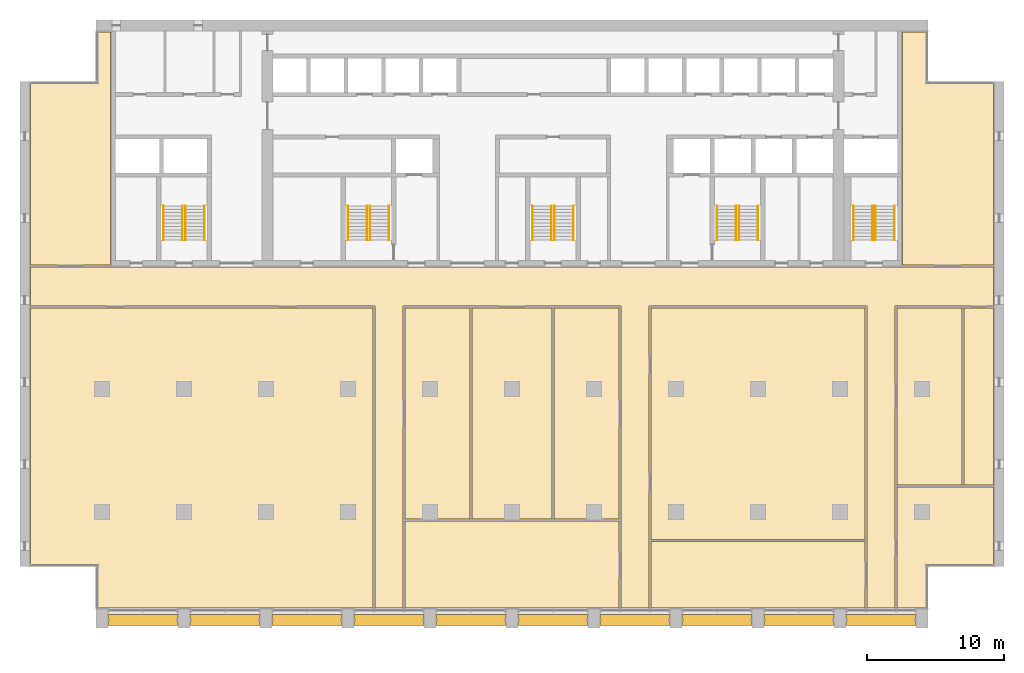
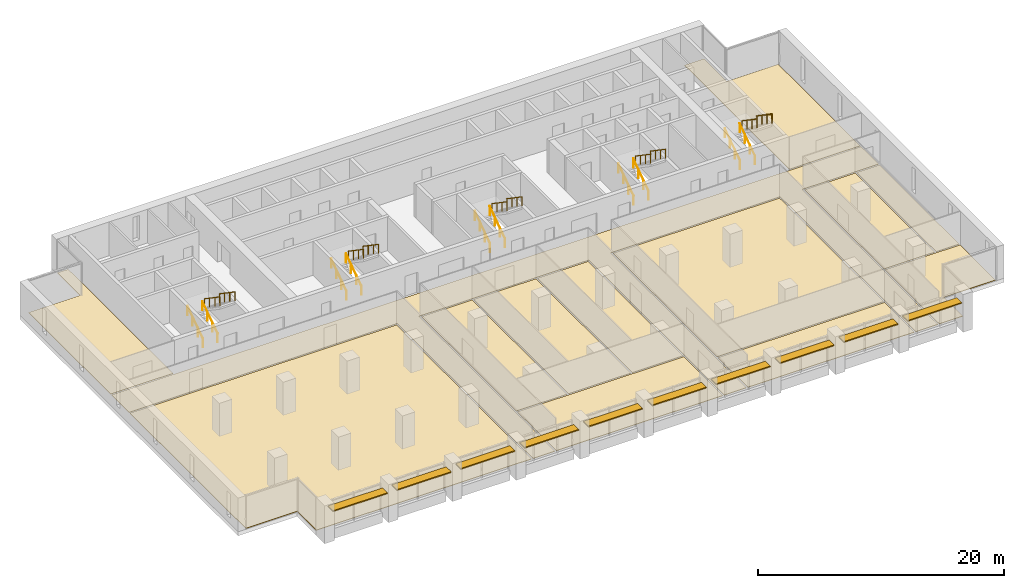
# One storey, part 15 of 15: 20 railings, 13 coverings, 10 shading devices, 5 elements without a shape of their own.
"""IFC4 building model written with IfcOpenShell, lengths in metres."""

from ifc_helpers import new_model, si_unit, direction, frame, origin, origin_2d, place, context, subcontext, project, spatial, polyline, rectangle, circle, outline, extrude, material, layer, layer_set, material_profile, profile_set, type_object, element, aggregate, save


model = new_model("IFC4")

# Units and contexts
model_context = context("Model", 3, precision=1e-05, world=origin(), true_north=direction((0.0, 1.0)))
body_context = subcontext(model_context, "Body", "Model", "MODEL_VIEW")
ifc_project = project(units=[si_unit("LENGTHUNIT", "METRE"), si_unit("AREAUNIT", "SQUARE_METRE"), si_unit("VOLUMEUNIT", "CUBIC_METRE"), si_unit("PLANEANGLEUNIT", "RADIAN"), si_unit("MASSUNIT", "GRAM", prefix="KILO")], contexts=[model_context])

# Site, building, storey
site_placement = place(None, origin())
site = spatial("IfcSite", under=ifc_project, at=site_placement, CompositionType="ELEMENT")
building_placement = place(site_placement, origin())
building = spatial("IfcBuilding", under=site, at=building_placement, Name="Calvaro Tower", CompositionType="ELEMENT")
storey_placement = place(building_placement, frame((0.0, 0.0, 151.25)))
storey = spatial("IfcBuildingStorey", under=building, at=storey_placement, Name="L38", CompositionType="ELEMENT", Elevation=151.25)

# Shading devices
ifc_material_1 = material(Name="Anodised aluminium", Category="aluminium")
ifc_material_profile = material_profile(ifc_material_1, rectangle(XDim=0.800048828125, YDim=0.10009765625, at=origin_2d()), Name="Brise-soleil blade 800 x 100")
ifc_profile_set = profile_set([ifc_material_profile], Name="Anodised aluminium")
shading_device_type = type_object("IfcShadingDeviceType", Name="Brise-soleil blade 800 x 100", PredefinedType="JALOUSIE", material=ifc_profile_set)
for number, where, z_axis, x_axis, name in (
    (1, (6.449951171875, 2.10009765625, 2.39990234375), (1.0, 0.0, 0.0), (0.0, 1.0, 0.0), "Brise-soleil blade 1"),
    (2, (12.449951171875, 2.10009765625, 2.39990234375), (1.0, 0.0, 0.0), (0.0, 1.0, 0.0), "Brise-soleil blade 2"),
    (3, (18.449951171875, 2.10009765625, 2.39990234375), (1.0, 0.0, 0.0), (0.0, 1.0, 0.0), "Brise-soleil blade 3"),
    (4, (24.449951171875, 2.10009765625, 2.39990234375), (1.0, 0.0, 0.0), (0.0, 1.0, 0.0), "Brise-soleil blade 4"),
    (5, (30.449951171875, 2.10009765625, 2.39990234375), (1.0, 0.0, 0.0), (0.0, 1.0, 0.0), "Brise-soleil blade 5"),
    (6, (36.449951171875, 2.10009765625, 2.39990234375), (1.0, 0.0, 0.0), (0.0, 1.0, 0.0), "Brise-soleil blade 6"),
    (7, (42.449951171875, 2.10009765625, 2.39990234375), (1.0, 0.0, 0.0), (0.0, 1.0, 0.0), "Brise-soleil blade 7"),
    (8, (48.449951171875, 2.10009765625, 2.39990234375), (1.0, 0.0, 0.0), (0.0, 1.0, 0.0), "Brise-soleil blade 8"),
    (9, (54.449951171875, 2.10009765625, 2.39990234375), (1.0, 0.0, 0.0), (0.0, 1.0, 0.0), "Brise-soleil blade 9"),
    (10, (60.449951171875, 2.10009765625, 2.39990234375), (1.0, 0.0, 0.0), (0.0, 1.0, 0.0), "Brise-soleil blade 10"),
):
    element("IfcShadingDevice", number, at=place(storey_placement, frame(where, z_axis=z_axis, x_axis=x_axis)), inside=storey, type_object=shading_device_type, Name=name, PredefinedType="JALOUSIE", context=body_context, shape_type="SweptSolid", body=[
        extrude(rectangle(XDim=0.800048828125, YDim=0.10009765625, at=origin_2d()), origin(), (0.0, 0.0, 1.0), 5.10009765625),
    ])

# Coverings
ifc_material_2 = material(Name="Cement screed with carpet tile finish")
ifc_layer = layer(ifc_material_2, 0.050048828125)
ifc_layer_set = layer_set([ifc_layer], Name="Cement screed with carpet tile finish")
covering_type = type_object("IfcCoveringType", Name="Floor finish 50", PredefinedType="FLOORING", material=ifc_layer_set)
covering_1_placement = place(storey_placement, origin())
element("IfcCovering", 11, at=covering_1_placement, inside=storey, type_object=covering_type, Name="Floor finish 23.01", PredefinedType="FLOORING", context=body_context, shape_type="SweptSolid", body=[
    extrude(outline(polyline([(0.77001953125, 25.070068359375), (0.77001953125, 27.929931640625), (71.22998046875, 27.929931640625), (71.22998046875, 25.070068359375), (64.030029296875, 25.070068359375), (64.030029296875, 2.969970703125), (61.969970703125, 2.969970703125), (61.969970703125, 25.070068359375), (46.030029296875, 25.070068359375), (46.030029296875, 2.969970703125), (43.969970703125, 2.969970703125), (43.969970703125, 25.070068359375), (28.030029296875, 25.070068359375), (28.030029296875, 2.969970703125), (25.969970703125, 2.969970703125), (25.969970703125, 25.070068359375), (0.77001953125, 25.070068359375)])), origin(), (0.0, 0.0, 1.0), 0.050048828125),
])
covering_2_placement = place(storey_placement, origin())
element("IfcCovering", 12, at=covering_2_placement, inside=storey, type_object=covering_type, Name="Floor finish 23.05", PredefinedType="FLOORING", context=body_context, shape_type="SweptSolid", body=[
    extrude(outline(polyline([(25.830078125, 24.929931640625), (25.830078125, 2.969970703125), (5.6201171875, 2.969970703125), (5.6201171875, 6.070068359375), (0.77001953125, 6.070068359375), (0.77001953125, 24.929931640625), (25.830078125, 24.929931640625)])), origin(), (0.0, 0.0, 1.0), 0.050048828125),
])
covering_3_placement = place(storey_placement, origin())
element("IfcCovering", 13, at=covering_3_placement, inside=storey, type_object=covering_type, Name="Floor finish 23.03", PredefinedType="FLOORING", context=body_context, shape_type="SweptSolid", body=[
    extrude(outline(polyline([(28.169921875, 9.330078125), (43.830078125, 9.330078125), (43.830078125, 2.969970703125), (28.169921875, 2.969970703125), (28.169921875, 9.330078125)])), origin(), (0.0, 0.0, 1.0), 0.050048828125),
])
covering_4_placement = place(storey_placement, origin())
element("IfcCovering", 14, at=covering_4_placement, inside=storey, type_object=covering_type, Name="Floor finish 23.07", PredefinedType="FLOORING", context=body_context, shape_type="SweptSolid", body=[
    extrude(outline(polyline([(28.169921875, 9.469970703125), (28.169921875, 24.929931640625), (32.929931640625, 24.929931640625), (32.929931640625, 9.469970703125), (28.169921875, 9.469970703125)])), origin(), (0.0, 0.0, 1.0), 0.050048828125),
])
covering_5_placement = place(storey_placement, origin())
element("IfcCovering", 15, at=covering_5_placement, inside=storey, type_object=covering_type, Name="Floor finish 23.08", PredefinedType="FLOORING", context=body_context, shape_type="SweptSolid", body=[
    extrude(outline(polyline([(33.070068359375, 9.469970703125), (33.070068359375, 24.929931640625), (38.929931640625, 24.929931640625), (38.929931640625, 9.469970703125), (33.070068359375, 9.469970703125)])), origin(), (0.0, 0.0, 1.0), 0.050048828125),
])
covering_6_placement = place(storey_placement, origin())
element("IfcCovering", 16, at=covering_6_placement, inside=storey, type_object=covering_type, Name="Floor finish 23.09", PredefinedType="FLOORING", context=body_context, shape_type="SweptSolid", body=[
    extrude(outline(polyline([(39.070068359375, 9.469970703125), (39.070068359375, 24.929931640625), (43.830078125, 24.929931640625), (43.830078125, 9.469970703125), (39.070068359375, 9.469970703125)])), origin(), (0.0, 0.0, 1.0), 0.050048828125),
])
covering_7_placement = place(storey_placement, origin())
element("IfcCovering", 17, at=covering_7_placement, inside=storey, type_object=covering_type, Name="Floor finish 23.02", PredefinedType="FLOORING", context=body_context, shape_type="SweptSolid", body=[
    extrude(outline(polyline([(46.169921875, 7.830078125), (61.830078125, 7.830078125), (61.830078125, 2.969970703125), (46.169921875, 2.969970703125), (46.169921875, 7.830078125)])), origin(), (0.0, 0.0, 1.0), 0.050048828125),
])
covering_8_placement = place(storey_placement, origin())
element("IfcCovering", 18, at=covering_8_placement, inside=storey, type_object=covering_type, Name="Floor finish 23.06", PredefinedType="FLOORING", context=body_context, shape_type="SweptSolid", body=[
    extrude(outline(polyline([(46.169921875, 7.969970703125), (46.169921875, 24.929931640625), (61.830078125, 24.929931640625), (61.830078125, 7.969970703125), (46.169921875, 7.969970703125)])), origin(), (0.0, 0.0, 1.0), 0.050048828125),
])
covering_9_placement = place(storey_placement, origin())
element("IfcCovering", 19, at=covering_9_placement, inside=storey, type_object=covering_type, Name="Floor finish 23.04", PredefinedType="FLOORING", context=body_context, shape_type="SweptSolid", body=[
    extrude(outline(polyline([(71.22998046875, 6.070068359375), (66.3798828125, 6.070068359375), (66.3798828125, 2.969970703125), (64.169921875, 2.969970703125), (64.169921875, 11.830078125), (71.22998046875, 11.830078125), (71.22998046875, 6.070068359375)])), origin(), (0.0, 0.0, 1.0), 0.050048828125),
])
covering_10_placement = place(storey_placement, origin())
element("IfcCovering", 20, at=covering_10_placement, inside=storey, type_object=covering_type, Name="Floor finish 23.10", PredefinedType="FLOORING", context=body_context, shape_type="SweptSolid", body=[
    extrude(outline(polyline([(64.169921875, 11.969970703125), (64.169921875, 24.929931640625), (68.929931640625, 24.929931640625), (68.929931640625, 11.969970703125), (64.169921875, 11.969970703125)])), origin(), (0.0, 0.0, 1.0), 0.050048828125),
])
covering_11_placement = place(storey_placement, origin())
element("IfcCovering", 21, at=covering_11_placement, inside=storey, type_object=covering_type, Name="Floor finish 23.11", PredefinedType="FLOORING", context=body_context, shape_type="SweptSolid", body=[
    extrude(outline(polyline([(71.22998046875, 11.969970703125), (69.070068359375, 11.969970703125), (69.070068359375, 24.929931640625), (71.22998046875, 24.929931640625), (71.22998046875, 11.969970703125)])), origin(), (0.0, 0.0, 1.0), 0.050048828125),
])
covering_12_placement = place(storey_placement, origin())
element("IfcCovering", 22, at=covering_12_placement, inside=storey, type_object=covering_type, Name="Floor finish 23.12", PredefinedType="FLOORING", context=body_context, shape_type="SweptSolid", body=[
    extrude(outline(polyline([(6.6298828125, 28.070068359375), (0.77001953125, 28.070068359375), (0.77001953125, 41.429931640625), (5.6201171875, 41.429931640625), (5.6201171875, 45.1298828125), (6.6298828125, 45.1298828125), (6.6298828125, 28.070068359375)])), origin(), (0.0, 0.0, 1.0), 0.050048828125),
])
covering_13_placement = place(storey_placement, origin())
element("IfcCovering", 23, at=covering_13_placement, inside=storey, type_object=covering_type, Name="Floor finish 23.13", PredefinedType="FLOORING", context=body_context, shape_type="SweptSolid", body=[
    extrude(outline(polyline([(71.22998046875, 28.070068359375), (64.570068359375, 28.070068359375), (64.570068359375, 45.1298828125), (66.3798828125, 45.1298828125), (66.3798828125, 41.429931640625), (71.22998046875, 41.429931640625), (71.22998046875, 28.070068359375)])), origin(), (0.0, 0.0, 1.0), 0.050048828125),
])

# Stair, railings
ifc_material_3 = material(Name="Concrete C40/50", Category="concrete")
stair_type = type_object("IfcStairType", Name="Exit stair 1400 2 flights", PredefinedType="HALF_TURN_STAIR", material=ifc_material_3)
stair_1_placement = place(storey_placement, origin())
stair_1 = element("IfcStair", 24, at=stair_1_placement, inside=storey, type_object=stair_type, Name="Exit stair S1", PredefinedType="HALF_TURN_STAIR")
ifc_material_4 = material(Name="Stainless steel", Category="steel")
railing_type = type_object("IfcRailingType", Name="Stair handrail", PredefinedType="HANDRAIL", material=ifc_material_4)
railing_1_placement = place(storey_placement, frame((11.89990234375, 29.89990234375, 0.17041015625)))
railing_1 = element("IfcRailing", 25, at=railing_1_placement, type_object=railing_type, Name="Exit stair 1 handrail", PredefinedType="HANDRAIL", context=body_context, shape_type="SweptSolid", body=[
    extrude(circle(Radius=0.02392578125, at=origin_2d()), frame((0.0, 0.0, 0.8759765625), z_axis=(0.0, 0.826220514629, 0.563346839174), x_axis=(-1.0, 0.0, 0.0)), (0.0, 0.0, 1.0), 3.02587890625),
    extrude(circle(Radius=0.02099609375, at=origin_2d()), frame((0.0, 0.017333984375, 0.01171875)), (0.0, 0.0, 1.0), 0.851806640625),
    extrude(circle(Radius=0.02099609375, at=origin_2d()), frame((0.0, 0.833251953125, 0.568115234375)), (0.0, 0.0, 1.0), 0.851806640625),
    extrude(circle(Radius=0.02099609375, at=origin_2d()), frame((0.0, 1.666748046875, 1.136474609375)), (0.0, 0.0, 1.0), 0.851806640625),
    extrude(circle(Radius=0.02099609375, at=origin_2d()), frame((0.0, 2.482666015625, 1.69287109375)), (0.0, 0.0, 1.0), 0.851806640625),
])
railing_2_placement = place(storey_placement, frame((10.5, 29.89990234375, 0.17041015625)))
railing_2 = element("IfcRailing", 26, at=railing_2_placement, type_object=railing_type, Name="Exit stair 1 handrail", PredefinedType="HANDRAIL", context=body_context, shape_type="SweptSolid", body=[
    extrude(circle(Radius=0.02392578125, at=origin_2d()), frame((0.0, 0.0, 0.8759765625), z_axis=(0.0, 0.826220514629, 0.563346839174), x_axis=(-1.0, 0.0, 0.0)), (0.0, 0.0, 1.0), 3.02587890625),
    extrude(circle(Radius=0.02099609375, at=origin_2d()), frame((0.0, 0.017333984375, 0.01171875)), (0.0, 0.0, 1.0), 0.851806640625),
    extrude(circle(Radius=0.02099609375, at=origin_2d()), frame((0.0, 0.833251953125, 0.568115234375)), (0.0, 0.0, 1.0), 0.851806640625),
    extrude(circle(Radius=0.02099609375, at=origin_2d()), frame((0.0, 1.666748046875, 1.136474609375)), (0.0, 0.0, 1.0), 0.851806640625),
    extrude(circle(Radius=0.02099609375, at=origin_2d()), frame((0.0, 2.482666015625, 1.69287109375)), (0.0, 0.0, 1.0), 0.851806640625),
])
railing_3_placement = place(storey_placement, frame((12.10009765625, 32.39990234375, 2.04541015625)))
railing_3 = element("IfcRailing", 27, at=railing_3_placement, type_object=railing_type, Name="Exit stair 1 handrail", PredefinedType="HANDRAIL", context=body_context, shape_type="SweptSolid", body=[
    extrude(circle(Radius=0.02392578125, at=origin_2d()), frame((0.0, 0.0, 0.8759765625), z_axis=(0.0, -0.826220514629, 0.563346839174), x_axis=(1.0, 0.0, 0.0)), (0.0, 0.0, 1.0), 3.02587890625),
    extrude(circle(Radius=0.02099609375, at=origin_2d()), frame((0.0, -0.017333984375, 0.01171875)), (0.0, 0.0, 1.0), 0.851806640625),
    extrude(circle(Radius=0.02099609375, at=origin_2d()), frame((0.0, -0.833251953125, 0.568115234375)), (0.0, 0.0, 1.0), 0.851806640625),
    extrude(circle(Radius=0.02099609375, at=origin_2d()), frame((0.0, -1.666748046875, 1.136474609375)), (0.0, 0.0, 1.0), 0.851806640625),
    extrude(circle(Radius=0.02099609375, at=origin_2d()), frame((0.0, -2.482666015625, 1.69287109375)), (0.0, 0.0, 1.0), 0.851806640625),
])
railing_4_placement = place(storey_placement, frame((13.5, 32.39990234375, 2.04541015625)))
railing_4 = element("IfcRailing", 28, at=railing_4_placement, type_object=railing_type, Name="Exit stair 1 handrail", PredefinedType="HANDRAIL", context=body_context, shape_type="SweptSolid", body=[
    extrude(circle(Radius=0.02392578125, at=origin_2d()), frame((0.0, 0.0, 0.8759765625), z_axis=(0.0, -0.826220514629, 0.563346839174), x_axis=(1.0, 0.0, 0.0)), (0.0, 0.0, 1.0), 3.02587890625),
    extrude(circle(Radius=0.02099609375, at=origin_2d()), frame((0.0, -0.017333984375, 0.01171875)), (0.0, 0.0, 1.0), 0.851806640625),
    extrude(circle(Radius=0.02099609375, at=origin_2d()), frame((0.0, -0.833251953125, 0.568115234375)), (0.0, 0.0, 1.0), 0.851806640625),
    extrude(circle(Radius=0.02099609375, at=origin_2d()), frame((0.0, -1.666748046875, 1.136474609375)), (0.0, 0.0, 1.0), 0.851806640625),
    extrude(circle(Radius=0.02099609375, at=origin_2d()), frame((0.0, -2.482666015625, 1.69287109375)), (0.0, 0.0, 1.0), 0.851806640625),
])
aggregate(stair_1, [railing_1, railing_2, railing_3, railing_4])

stair_2_placement = place(storey_placement, origin())
stair_2 = element("IfcStair", 29, at=stair_2_placement, inside=storey, type_object=stair_type, Name="Exit stair S2", PredefinedType="HALF_TURN_STAIR")
railing_5_placement = place(storey_placement, frame((25.39990234375, 29.89990234375, 0.17041015625)))
railing_5 = element("IfcRailing", 30, at=railing_5_placement, type_object=railing_type, Name="Exit stair 2 handrail", PredefinedType="HANDRAIL", context=body_context, shape_type="SweptSolid", body=[
    extrude(circle(Radius=0.02392578125, at=origin_2d()), frame((0.0, 0.0, 0.8759765625), z_axis=(0.0, 0.826220514629, 0.563346839174), x_axis=(-1.0, 0.0, 0.0)), (0.0, 0.0, 1.0), 3.02587890625),
    extrude(circle(Radius=0.02099609375, at=origin_2d()), frame((0.0, 0.017333984375, 0.01171875)), (0.0, 0.0, 1.0), 0.851806640625),
    extrude(circle(Radius=0.02099609375, at=origin_2d()), frame((0.0, 0.833251953125, 0.568115234375)), (0.0, 0.0, 1.0), 0.851806640625),
    extrude(circle(Radius=0.02099609375, at=origin_2d()), frame((0.0, 1.666748046875, 1.136474609375)), (0.0, 0.0, 1.0), 0.851806640625),
    extrude(circle(Radius=0.02099609375, at=origin_2d()), frame((0.0, 2.482666015625, 1.69287109375)), (0.0, 0.0, 1.0), 0.851806640625),
])
railing_6_placement = place(storey_placement, frame((24.0, 29.89990234375, 0.17041015625)))
railing_6 = element("IfcRailing", 31, at=railing_6_placement, type_object=railing_type, Name="Exit stair 2 handrail", PredefinedType="HANDRAIL", context=body_context, shape_type="SweptSolid", body=[
    extrude(circle(Radius=0.02392578125, at=origin_2d()), frame((0.0, 0.0, 0.8759765625), z_axis=(0.0, 0.826220514629, 0.563346839174), x_axis=(-1.0, 0.0, 0.0)), (0.0, 0.0, 1.0), 3.02587890625),
    extrude(circle(Radius=0.02099609375, at=origin_2d()), frame((0.0, 0.017333984375, 0.01171875)), (0.0, 0.0, 1.0), 0.851806640625),
    extrude(circle(Radius=0.02099609375, at=origin_2d()), frame((0.0, 0.833251953125, 0.568115234375)), (0.0, 0.0, 1.0), 0.851806640625),
    extrude(circle(Radius=0.02099609375, at=origin_2d()), frame((0.0, 1.666748046875, 1.136474609375)), (0.0, 0.0, 1.0), 0.851806640625),
    extrude(circle(Radius=0.02099609375, at=origin_2d()), frame((0.0, 2.482666015625, 1.69287109375)), (0.0, 0.0, 1.0), 0.851806640625),
])
railing_7_placement = place(storey_placement, frame((25.60009765625, 32.39990234375, 2.04541015625)))
railing_7 = element("IfcRailing", 32, at=railing_7_placement, type_object=railing_type, Name="Exit stair 2 handrail", PredefinedType="HANDRAIL", context=body_context, shape_type="SweptSolid", body=[
    extrude(circle(Radius=0.02392578125, at=origin_2d()), frame((0.0, 0.0, 0.8759765625), z_axis=(0.0, -0.826220514629, 0.563346839174), x_axis=(1.0, 0.0, 0.0)), (0.0, 0.0, 1.0), 3.02587890625),
    extrude(circle(Radius=0.02099609375, at=origin_2d()), frame((0.0, -0.017333984375, 0.01171875)), (0.0, 0.0, 1.0), 0.851806640625),
    extrude(circle(Radius=0.02099609375, at=origin_2d()), frame((0.0, -0.833251953125, 0.568115234375)), (0.0, 0.0, 1.0), 0.851806640625),
    extrude(circle(Radius=0.02099609375, at=origin_2d()), frame((0.0, -1.666748046875, 1.136474609375)), (0.0, 0.0, 1.0), 0.851806640625),
    extrude(circle(Radius=0.02099609375, at=origin_2d()), frame((0.0, -2.482666015625, 1.69287109375)), (0.0, 0.0, 1.0), 0.851806640625),
])
railing_8_placement = place(storey_placement, frame((27.0, 32.39990234375, 2.04541015625)))
railing_8 = element("IfcRailing", 33, at=railing_8_placement, type_object=railing_type, Name="Exit stair 2 handrail", PredefinedType="HANDRAIL", context=body_context, shape_type="SweptSolid", body=[
    extrude(circle(Radius=0.02392578125, at=origin_2d()), frame((0.0, 0.0, 0.8759765625), z_axis=(0.0, -0.826220514629, 0.563346839174), x_axis=(1.0, 0.0, 0.0)), (0.0, 0.0, 1.0), 3.02587890625),
    extrude(circle(Radius=0.02099609375, at=origin_2d()), frame((0.0, -0.017333984375, 0.01171875)), (0.0, 0.0, 1.0), 0.851806640625),
    extrude(circle(Radius=0.02099609375, at=origin_2d()), frame((0.0, -0.833251953125, 0.568115234375)), (0.0, 0.0, 1.0), 0.851806640625),
    extrude(circle(Radius=0.02099609375, at=origin_2d()), frame((0.0, -1.666748046875, 1.136474609375)), (0.0, 0.0, 1.0), 0.851806640625),
    extrude(circle(Radius=0.02099609375, at=origin_2d()), frame((0.0, -2.482666015625, 1.69287109375)), (0.0, 0.0, 1.0), 0.851806640625),
])
aggregate(stair_2, [railing_5, railing_6, railing_7, railing_8])

stair_3_placement = place(storey_placement, origin())
stair_3 = element("IfcStair", 34, at=stair_3_placement, inside=storey, type_object=stair_type, Name="Exit stair S3", PredefinedType="HALF_TURN_STAIR")
railing_9_placement = place(storey_placement, frame((38.89990234375, 29.89990234375, 0.17041015625)))
railing_9 = element("IfcRailing", 35, at=railing_9_placement, type_object=railing_type, Name="Exit stair 3 handrail", PredefinedType="HANDRAIL", context=body_context, shape_type="SweptSolid", body=[
    extrude(circle(Radius=0.02392578125, at=origin_2d()), frame((0.0, 0.0, 0.8759765625), z_axis=(0.0, 0.826220514629, 0.563346839174), x_axis=(-1.0, 0.0, 0.0)), (0.0, 0.0, 1.0), 3.02587890625),
    extrude(circle(Radius=0.02099609375, at=origin_2d()), frame((0.0, 0.017333984375, 0.01171875)), (0.0, 0.0, 1.0), 0.851806640625),
    extrude(circle(Radius=0.02099609375, at=origin_2d()), frame((0.0, 0.833251953125, 0.568115234375)), (0.0, 0.0, 1.0), 0.851806640625),
    extrude(circle(Radius=0.02099609375, at=origin_2d()), frame((0.0, 1.666748046875, 1.136474609375)), (0.0, 0.0, 1.0), 0.851806640625),
    extrude(circle(Radius=0.02099609375, at=origin_2d()), frame((0.0, 2.482666015625, 1.69287109375)), (0.0, 0.0, 1.0), 0.851806640625),
])
railing_10_placement = place(storey_placement, frame((37.5, 29.89990234375, 0.17041015625)))
railing_10 = element("IfcRailing", 36, at=railing_10_placement, type_object=railing_type, Name="Exit stair 3 handrail", PredefinedType="HANDRAIL", context=body_context, shape_type="SweptSolid", body=[
    extrude(circle(Radius=0.02392578125, at=origin_2d()), frame((0.0, 0.0, 0.8759765625), z_axis=(0.0, 0.826220514629, 0.563346839174), x_axis=(-1.0, 0.0, 0.0)), (0.0, 0.0, 1.0), 3.02587890625),
    extrude(circle(Radius=0.02099609375, at=origin_2d()), frame((0.0, 0.017333984375, 0.01171875)), (0.0, 0.0, 1.0), 0.851806640625),
    extrude(circle(Radius=0.02099609375, at=origin_2d()), frame((0.0, 0.833251953125, 0.568115234375)), (0.0, 0.0, 1.0), 0.851806640625),
    extrude(circle(Radius=0.02099609375, at=origin_2d()), frame((0.0, 1.666748046875, 1.136474609375)), (0.0, 0.0, 1.0), 0.851806640625),
    extrude(circle(Radius=0.02099609375, at=origin_2d()), frame((0.0, 2.482666015625, 1.69287109375)), (0.0, 0.0, 1.0), 0.851806640625),
])
railing_11_placement = place(storey_placement, frame((39.10009765625, 32.39990234375, 2.04541015625)))
railing_11 = element("IfcRailing", 37, at=railing_11_placement, type_object=railing_type, Name="Exit stair 3 handrail", PredefinedType="HANDRAIL", context=body_context, shape_type="SweptSolid", body=[
    extrude(circle(Radius=0.02392578125, at=origin_2d()), frame((0.0, 0.0, 0.8759765625), z_axis=(0.0, -0.826220514629, 0.563346839174), x_axis=(1.0, 0.0, 0.0)), (0.0, 0.0, 1.0), 3.02587890625),
    extrude(circle(Radius=0.02099609375, at=origin_2d()), frame((0.0, -0.017333984375, 0.01171875)), (0.0, 0.0, 1.0), 0.851806640625),
    extrude(circle(Radius=0.02099609375, at=origin_2d()), frame((0.0, -0.833251953125, 0.568115234375)), (0.0, 0.0, 1.0), 0.851806640625),
    extrude(circle(Radius=0.02099609375, at=origin_2d()), frame((0.0, -1.666748046875, 1.136474609375)), (0.0, 0.0, 1.0), 0.851806640625),
    extrude(circle(Radius=0.02099609375, at=origin_2d()), frame((0.0, -2.482666015625, 1.69287109375)), (0.0, 0.0, 1.0), 0.851806640625),
])
railing_12_placement = place(storey_placement, frame((40.5, 32.39990234375, 2.04541015625)))
railing_12 = element("IfcRailing", 38, at=railing_12_placement, type_object=railing_type, Name="Exit stair 3 handrail", PredefinedType="HANDRAIL", context=body_context, shape_type="SweptSolid", body=[
    extrude(circle(Radius=0.02392578125, at=origin_2d()), frame((0.0, 0.0, 0.8759765625), z_axis=(0.0, -0.826220514629, 0.563346839174), x_axis=(1.0, 0.0, 0.0)), (0.0, 0.0, 1.0), 3.02587890625),
    extrude(circle(Radius=0.02099609375, at=origin_2d()), frame((0.0, -0.017333984375, 0.01171875)), (0.0, 0.0, 1.0), 0.851806640625),
    extrude(circle(Radius=0.02099609375, at=origin_2d()), frame((0.0, -0.833251953125, 0.568115234375)), (0.0, 0.0, 1.0), 0.851806640625),
    extrude(circle(Radius=0.02099609375, at=origin_2d()), frame((0.0, -1.666748046875, 1.136474609375)), (0.0, 0.0, 1.0), 0.851806640625),
    extrude(circle(Radius=0.02099609375, at=origin_2d()), frame((0.0, -2.482666015625, 1.69287109375)), (0.0, 0.0, 1.0), 0.851806640625),
])
aggregate(stair_3, [railing_9, railing_10, railing_11, railing_12])

stair_4_placement = place(storey_placement, origin())
stair_4 = element("IfcStair", 39, at=stair_4_placement, inside=storey, type_object=stair_type, Name="Exit stair S4", PredefinedType="HALF_TURN_STAIR")
railing_13_placement = place(storey_placement, frame((52.39990234375, 29.89990234375, 0.17041015625)))
railing_13 = element("IfcRailing", 40, at=railing_13_placement, type_object=railing_type, Name="Exit stair 4 handrail", PredefinedType="HANDRAIL", context=body_context, shape_type="SweptSolid", body=[
    extrude(circle(Radius=0.02392578125, at=origin_2d()), frame((0.0, 0.0, 0.8759765625), z_axis=(0.0, 0.826220514629, 0.563346839174), x_axis=(-1.0, 0.0, 0.0)), (0.0, 0.0, 1.0), 3.02587890625),
    extrude(circle(Radius=0.02099609375, at=origin_2d()), frame((0.0, 0.017333984375, 0.01171875)), (0.0, 0.0, 1.0), 0.851806640625),
    extrude(circle(Radius=0.02099609375, at=origin_2d()), frame((0.0, 0.833251953125, 0.568115234375)), (0.0, 0.0, 1.0), 0.851806640625),
    extrude(circle(Radius=0.02099609375, at=origin_2d()), frame((0.0, 1.666748046875, 1.136474609375)), (0.0, 0.0, 1.0), 0.851806640625),
    extrude(circle(Radius=0.02099609375, at=origin_2d()), frame((0.0, 2.482666015625, 1.69287109375)), (0.0, 0.0, 1.0), 0.851806640625),
])
railing_14_placement = place(storey_placement, frame((51.0, 29.89990234375, 0.17041015625)))
railing_14 = element("IfcRailing", 41, at=railing_14_placement, type_object=railing_type, Name="Exit stair 4 handrail", PredefinedType="HANDRAIL", context=body_context, shape_type="SweptSolid", body=[
    extrude(circle(Radius=0.02392578125, at=origin_2d()), frame((0.0, 0.0, 0.8759765625), z_axis=(0.0, 0.826220514629, 0.563346839174), x_axis=(-1.0, 0.0, 0.0)), (0.0, 0.0, 1.0), 3.02587890625),
    extrude(circle(Radius=0.02099609375, at=origin_2d()), frame((0.0, 0.017333984375, 0.01171875)), (0.0, 0.0, 1.0), 0.851806640625),
    extrude(circle(Radius=0.02099609375, at=origin_2d()), frame((0.0, 0.833251953125, 0.568115234375)), (0.0, 0.0, 1.0), 0.851806640625),
    extrude(circle(Radius=0.02099609375, at=origin_2d()), frame((0.0, 1.666748046875, 1.136474609375)), (0.0, 0.0, 1.0), 0.851806640625),
    extrude(circle(Radius=0.02099609375, at=origin_2d()), frame((0.0, 2.482666015625, 1.69287109375)), (0.0, 0.0, 1.0), 0.851806640625),
])
railing_15_placement = place(storey_placement, frame((52.60009765625, 32.39990234375, 2.04541015625)))
railing_15 = element("IfcRailing", 42, at=railing_15_placement, type_object=railing_type, Name="Exit stair 4 handrail", PredefinedType="HANDRAIL", context=body_context, shape_type="SweptSolid", body=[
    extrude(circle(Radius=0.02392578125, at=origin_2d()), frame((0.0, 0.0, 0.8759765625), z_axis=(0.0, -0.826220514629, 0.563346839174), x_axis=(1.0, 0.0, 0.0)), (0.0, 0.0, 1.0), 3.02587890625),
    extrude(circle(Radius=0.02099609375, at=origin_2d()), frame((0.0, -0.017333984375, 0.01171875)), (0.0, 0.0, 1.0), 0.851806640625),
    extrude(circle(Radius=0.02099609375, at=origin_2d()), frame((0.0, -0.833251953125, 0.568115234375)), (0.0, 0.0, 1.0), 0.851806640625),
    extrude(circle(Radius=0.02099609375, at=origin_2d()), frame((0.0, -1.666748046875, 1.136474609375)), (0.0, 0.0, 1.0), 0.851806640625),
    extrude(circle(Radius=0.02099609375, at=origin_2d()), frame((0.0, -2.482666015625, 1.69287109375)), (0.0, 0.0, 1.0), 0.851806640625),
])
railing_16_placement = place(storey_placement, frame((54.0, 32.39990234375, 2.04541015625)))
railing_16 = element("IfcRailing", 43, at=railing_16_placement, type_object=railing_type, Name="Exit stair 4 handrail", PredefinedType="HANDRAIL", context=body_context, shape_type="SweptSolid", body=[
    extrude(circle(Radius=0.02392578125, at=origin_2d()), frame((0.0, 0.0, 0.8759765625), z_axis=(0.0, -0.826220514629, 0.563346839174), x_axis=(1.0, 0.0, 0.0)), (0.0, 0.0, 1.0), 3.02587890625),
    extrude(circle(Radius=0.02099609375, at=origin_2d()), frame((0.0, -0.017333984375, 0.01171875)), (0.0, 0.0, 1.0), 0.851806640625),
    extrude(circle(Radius=0.02099609375, at=origin_2d()), frame((0.0, -0.833251953125, 0.568115234375)), (0.0, 0.0, 1.0), 0.851806640625),
    extrude(circle(Radius=0.02099609375, at=origin_2d()), frame((0.0, -1.666748046875, 1.136474609375)), (0.0, 0.0, 1.0), 0.851806640625),
    extrude(circle(Radius=0.02099609375, at=origin_2d()), frame((0.0, -2.482666015625, 1.69287109375)), (0.0, 0.0, 1.0), 0.851806640625),
])
aggregate(stair_4, [railing_13, railing_14, railing_15, railing_16])

stair_5_placement = place(storey_placement, origin())
stair_5 = element("IfcStair", 44, at=stair_5_placement, inside=storey, type_object=stair_type, Name="Exit stair S5", PredefinedType="HALF_TURN_STAIR")
railing_17_placement = place(storey_placement, frame((62.39990234375, 29.89990234375, 0.17041015625)))
railing_17 = element("IfcRailing", 45, at=railing_17_placement, type_object=railing_type, Name="Exit stair 5 handrail", PredefinedType="HANDRAIL", context=body_context, shape_type="SweptSolid", body=[
    extrude(circle(Radius=0.02392578125, at=origin_2d()), frame((0.0, 0.0, 0.8759765625), z_axis=(0.0, 0.826220514629, 0.563346839174), x_axis=(-1.0, 0.0, 0.0)), (0.0, 0.0, 1.0), 3.02587890625),
    extrude(circle(Radius=0.02099609375, at=origin_2d()), frame((0.0, 0.017333984375, 0.01171875)), (0.0, 0.0, 1.0), 0.851806640625),
    extrude(circle(Radius=0.02099609375, at=origin_2d()), frame((0.0, 0.833251953125, 0.568115234375)), (0.0, 0.0, 1.0), 0.851806640625),
    extrude(circle(Radius=0.02099609375, at=origin_2d()), frame((0.0, 1.666748046875, 1.136474609375)), (0.0, 0.0, 1.0), 0.851806640625),
    extrude(circle(Radius=0.02099609375, at=origin_2d()), frame((0.0, 2.482666015625, 1.69287109375)), (0.0, 0.0, 1.0), 0.851806640625),
])
railing_18_placement = place(storey_placement, frame((61.0, 29.89990234375, 0.17041015625)))
railing_18 = element("IfcRailing", 46, at=railing_18_placement, type_object=railing_type, Name="Exit stair 5 handrail", PredefinedType="HANDRAIL", context=body_context, shape_type="SweptSolid", body=[
    extrude(circle(Radius=0.02392578125, at=origin_2d()), frame((0.0, 0.0, 0.8759765625), z_axis=(0.0, 0.826220514629, 0.563346839174), x_axis=(-1.0, 0.0, 0.0)), (0.0, 0.0, 1.0), 3.02587890625),
    extrude(circle(Radius=0.02099609375, at=origin_2d()), frame((0.0, 0.017333984375, 0.01171875)), (0.0, 0.0, 1.0), 0.851806640625),
    extrude(circle(Radius=0.02099609375, at=origin_2d()), frame((0.0, 0.833251953125, 0.568115234375)), (0.0, 0.0, 1.0), 0.851806640625),
    extrude(circle(Radius=0.02099609375, at=origin_2d()), frame((0.0, 1.666748046875, 1.136474609375)), (0.0, 0.0, 1.0), 0.851806640625),
    extrude(circle(Radius=0.02099609375, at=origin_2d()), frame((0.0, 2.482666015625, 1.69287109375)), (0.0, 0.0, 1.0), 0.851806640625),
])
railing_19_placement = place(storey_placement, frame((62.60009765625, 32.39990234375, 2.04541015625)))
railing_19 = element("IfcRailing", 47, at=railing_19_placement, type_object=railing_type, Name="Exit stair 5 handrail", PredefinedType="HANDRAIL", context=body_context, shape_type="SweptSolid", body=[
    extrude(circle(Radius=0.02392578125, at=origin_2d()), frame((0.0, 0.0, 0.8759765625), z_axis=(0.0, -0.826220514629, 0.563346839174), x_axis=(1.0, 0.0, 0.0)), (0.0, 0.0, 1.0), 3.02587890625),
    extrude(circle(Radius=0.02099609375, at=origin_2d()), frame((0.0, -0.017333984375, 0.01171875)), (0.0, 0.0, 1.0), 0.851806640625),
    extrude(circle(Radius=0.02099609375, at=origin_2d()), frame((0.0, -0.833251953125, 0.568115234375)), (0.0, 0.0, 1.0), 0.851806640625),
    extrude(circle(Radius=0.02099609375, at=origin_2d()), frame((0.0, -1.666748046875, 1.136474609375)), (0.0, 0.0, 1.0), 0.851806640625),
    extrude(circle(Radius=0.02099609375, at=origin_2d()), frame((0.0, -2.482666015625, 1.69287109375)), (0.0, 0.0, 1.0), 0.851806640625),
])
railing_20_placement = place(storey_placement, frame((64.0, 32.39990234375, 2.04541015625)))
railing_20 = element("IfcRailing", 48, at=railing_20_placement, type_object=railing_type, Name="Exit stair 5 handrail", PredefinedType="HANDRAIL", context=body_context, shape_type="SweptSolid", body=[
    extrude(circle(Radius=0.02392578125, at=origin_2d()), frame((0.0, 0.0, 0.8759765625), z_axis=(0.0, -0.826220514629, 0.563346839174), x_axis=(1.0, 0.0, 0.0)), (0.0, 0.0, 1.0), 3.02587890625),
    extrude(circle(Radius=0.02099609375, at=origin_2d()), frame((0.0, -0.017333984375, 0.01171875)), (0.0, 0.0, 1.0), 0.851806640625),
    extrude(circle(Radius=0.02099609375, at=origin_2d()), frame((0.0, -0.833251953125, 0.568115234375)), (0.0, 0.0, 1.0), 0.851806640625),
    extrude(circle(Radius=0.02099609375, at=origin_2d()), frame((0.0, -1.666748046875, 1.136474609375)), (0.0, 0.0, 1.0), 0.851806640625),
    extrude(circle(Radius=0.02099609375, at=origin_2d()), frame((0.0, -2.482666015625, 1.69287109375)), (0.0, 0.0, 1.0), 0.851806640625),
])
aggregate(stair_5, [railing_17, railing_18, railing_19, railing_20])

save(model, "model.ifc")
